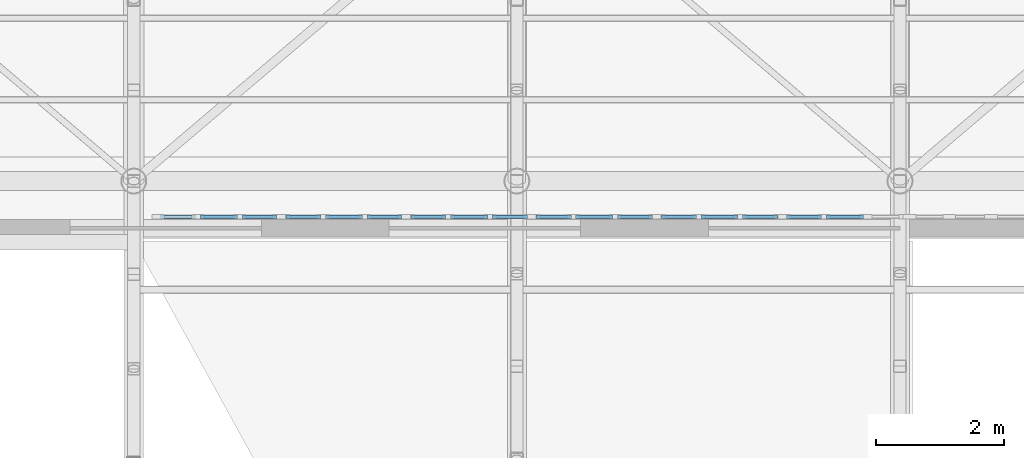
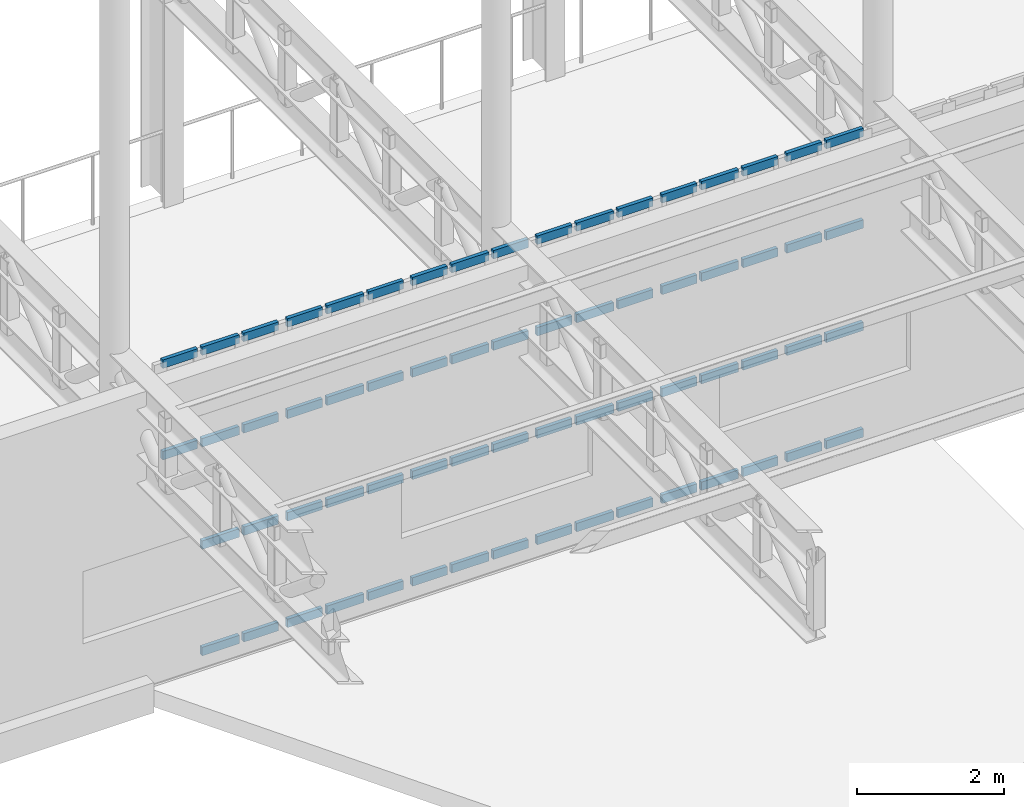
# One storey, part 44 of 75: 66 members, 6 elements without a shape of their own.
"""IFC4 building model written with IfcOpenShell, lengths in metres."""

from ifc_helpers import new_model, si_unit, direction, frame, origin, origin_2d, place, context, subcontext, project, spatial, rectangle, extrude, material, material_profile, profile_set, type_object, element, aggregate, save


model = new_model("IFC4")

# Units and contexts
model_context = context("Model", 3, precision=1e-05, world=origin(), true_north=direction((0.0, 1.0)))
body_context = subcontext(model_context, "Body", "Model", "MODEL_VIEW")
ifc_project = project(units=[si_unit("LENGTHUNIT", "METRE"), si_unit("AREAUNIT", "SQUARE_METRE"), si_unit("VOLUMEUNIT", "CUBIC_METRE"), si_unit("PLANEANGLEUNIT", "RADIAN"), si_unit("MASSUNIT", "GRAM", prefix="KILO")], contexts=[model_context])

# Site, building, storey
site_placement = place(None, origin())
site = spatial("IfcSite", under=ifc_project, at=site_placement, CompositionType="ELEMENT")
building_placement = place(site_placement, origin())
building = spatial("IfcBuilding", under=site, at=building_placement, Name="Kolvaren Corner Interchange", CompositionType="ELEMENT")
storey_placement = place(building_placement, frame((0.0, 0.0, 10.5)))
storey = spatial("IfcBuildingStorey", under=building, at=storey_placement, Name="L03", CompositionType="ELEMENT", Elevation=10.5)

# Curtain wall, members
ifc_material_1 = material(Name="Unitised Aluminium and Solar-Control Glass Curtain Wall", Category="aluminium")
curtain_wall_type = type_object("IfcCurtainWallType", Name="CW-V1-UPPER", PredefinedType="NOTDEFINED", material=ifc_material_1)
curtain_wall_1_placement = place(storey_placement, origin())
curtain_wall_1 = element("IfcCurtainWall", 1, at=curtain_wall_1_placement, inside=storey, type_object=curtain_wall_type, Name="South Portal Upper Curtain Wall Bay 01", PredefinedType="NOTDEFINED")
ifc_material_2 = material(Name="Anodised Aluminium Framing", Category="aluminium")
ifc_material_profile = material_profile(ifc_material_2, rectangle(XDim=0.06005859375, YDim=0.139892578125, at=origin_2d()), Name="ALU 60x140")
ifc_profile_set = profile_set([ifc_material_profile], Name="Anodised Aluminium Framing")
member_type = type_object("IfcMemberType", Name="TRN-ALU60x140", PredefinedType="USERDEFINED", material=ifc_profile_set)
member_1_placement = place(storey_placement, frame((72.419921875, 24.340087890625, 3.5), z_axis=(1.0, 0.0, 0.0), x_axis=(0.0, 1.0, 0.0)))
member_1 = element("IfcMember", 2, at=member_1_placement, type_object=member_type, Name="CW-037 transom 1.3", ObjectType="TRANSOM", PredefinedType="USERDEFINED", context=body_context, shape_type="SweptSolid", body=[
    extrude(rectangle(XDim=0.06005859375, YDim=0.139892578125, at=origin_2d()), origin(), (0.0, 0.0, 1.0), 0.548828125),
])
member_2_placement = place(storey_placement, frame((72.419921875, 24.340087890625, 5.02001953125), z_axis=(1.0, 0.0, 0.0), x_axis=(0.0, 1.0, 0.0)))
member_2 = element("IfcMember", 3, at=member_2_placement, type_object=member_type, Name="CW-037 transom 1.4", ObjectType="TRANSOM", PredefinedType="USERDEFINED", context=body_context, shape_type="SweptSolid", body=[
    extrude(rectangle(XDim=0.06005859375, YDim=0.139892578125, at=origin_2d()), origin(), (0.0, 0.0, 1.0), 0.548828125),
])
member_3_placement = place(storey_placement, frame((73.038818359375, 24.340087890625, 0.030029296875), z_axis=(1.0, 0.0, 0.0), x_axis=(0.0, 1.0, 0.0)))
member_3 = element("IfcMember", 4, at=member_3_placement, type_object=member_type, Name="CW-037 transom 2.1", ObjectType="TRANSOM", PredefinedType="USERDEFINED", context=body_context, shape_type="SweptSolid", body=[
    extrude(rectangle(XDim=0.06005859375, YDim=0.139892578125, at=origin_2d()), origin(), (0.0, 0.0, 1.0), 0.58349609375),
])
member_4_placement = place(storey_placement, frame((73.038818359375, 24.340087890625, 1.800048828125), z_axis=(1.0, 0.0, 0.0), x_axis=(0.0, 1.0, 0.0)))
member_4 = element("IfcMember", 5, at=member_4_placement, type_object=member_type, Name="CW-037 transom 2.2", ObjectType="TRANSOM", PredefinedType="USERDEFINED", context=body_context, shape_type="SweptSolid", body=[
    extrude(rectangle(XDim=0.06005859375, YDim=0.139892578125, at=origin_2d()), origin(), (0.0, 0.0, 1.0), 0.58349609375),
])
member_5_placement = place(storey_placement, frame((73.038818359375, 24.340087890625, 3.5), z_axis=(1.0, 0.0, 0.0), x_axis=(0.0, 1.0, 0.0)))
member_5 = element("IfcMember", 6, at=member_5_placement, type_object=member_type, Name="CW-037 transom 2.3", ObjectType="TRANSOM", PredefinedType="USERDEFINED", context=body_context, shape_type="SweptSolid", body=[
    extrude(rectangle(XDim=0.06005859375, YDim=0.139892578125, at=origin_2d()), origin(), (0.0, 0.0, 1.0), 0.58349609375),
])
member_6_placement = place(storey_placement, frame((73.038818359375, 24.340087890625, 5.02001953125), z_axis=(1.0, 0.0, 0.0), x_axis=(0.0, 1.0, 0.0)))
member_6 = element("IfcMember", 7, at=member_6_placement, type_object=member_type, Name="CW-037 transom 2.4", ObjectType="TRANSOM", PredefinedType="USERDEFINED", context=body_context, shape_type="SweptSolid", body=[
    extrude(rectangle(XDim=0.06005859375, YDim=0.139892578125, at=origin_2d()), origin(), (0.0, 0.0, 1.0), 0.58349609375),
])
member_7_placement = place(storey_placement, frame((73.6923828125, 24.340087890625, 0.030029296875), z_axis=(1.0, 0.0, 0.0), x_axis=(0.0, 1.0, 0.0)))
member_7 = element("IfcMember", 8, at=member_7_placement, type_object=member_type, Name="CW-037 transom 3.1", ObjectType="TRANSOM", PredefinedType="USERDEFINED", context=body_context, shape_type="SweptSolid", body=[
    extrude(rectangle(XDim=0.06005859375, YDim=0.139892578125, at=origin_2d()), origin(), (0.0, 0.0, 1.0), 0.548828125),
])
member_8_placement = place(storey_placement, frame((73.6923828125, 24.340087890625, 1.800048828125), z_axis=(1.0, 0.0, 0.0), x_axis=(0.0, 1.0, 0.0)))
member_8 = element("IfcMember", 9, at=member_8_placement, type_object=member_type, Name="CW-037 transom 3.2", ObjectType="TRANSOM", PredefinedType="USERDEFINED", context=body_context, shape_type="SweptSolid", body=[
    extrude(rectangle(XDim=0.06005859375, YDim=0.139892578125, at=origin_2d()), origin(), (0.0, 0.0, 1.0), 0.548828125),
])
member_9_placement = place(storey_placement, frame((73.6923828125, 24.340087890625, 3.5), z_axis=(1.0, 0.0, 0.0), x_axis=(0.0, 1.0, 0.0)))
member_9 = element("IfcMember", 10, at=member_9_placement, type_object=member_type, Name="CW-037 transom 3.3", ObjectType="TRANSOM", PredefinedType="USERDEFINED", context=body_context, shape_type="SweptSolid", body=[
    extrude(rectangle(XDim=0.06005859375, YDim=0.139892578125, at=origin_2d()), origin(), (0.0, 0.0, 1.0), 0.548828125),
])
member_10_placement = place(storey_placement, frame((73.6923828125, 24.340087890625, 5.02001953125), z_axis=(1.0, 0.0, 0.0), x_axis=(0.0, 1.0, 0.0)))
member_10 = element("IfcMember", 11, at=member_10_placement, type_object=member_type, Name="CW-037 transom 3.4", ObjectType="TRANSOM", PredefinedType="USERDEFINED", context=body_context, shape_type="SweptSolid", body=[
    extrude(rectangle(XDim=0.06005859375, YDim=0.139892578125, at=origin_2d()), origin(), (0.0, 0.0, 1.0), 0.548828125),
])
aggregate(curtain_wall_1, [member_1, member_2, member_3, member_4, member_5, member_6, member_7, member_8, member_9, member_10])

curtain_wall_2_placement = place(storey_placement, origin())
curtain_wall_2 = element("IfcCurtainWall", 12, at=curtain_wall_2_placement, inside=storey, type_object=curtain_wall_type, Name="South Portal Upper Curtain Wall Bay 02", PredefinedType="NOTDEFINED")
member_11_placement = place(storey_placement, frame((74.381103515625, 24.340087890625, 0.030029296875), z_axis=(1.0, 0.0, 0.0), x_axis=(0.0, 1.0, 0.0)))
member_11 = element("IfcMember", 13, at=member_11_placement, type_object=member_type, Name="CW-038 transom 1.1", ObjectType="TRANSOM", PredefinedType="USERDEFINED", context=body_context, shape_type="SweptSolid", body=[
    extrude(rectangle(XDim=0.06005859375, YDim=0.139892578125, at=origin_2d()), origin(), (0.0, 0.0, 1.0), 0.548583984375),
])
member_12_placement = place(storey_placement, frame((74.381103515625, 24.340087890625, 1.800048828125), z_axis=(1.0, 0.0, 0.0), x_axis=(0.0, 1.0, 0.0)))
member_12 = element("IfcMember", 14, at=member_12_placement, type_object=member_type, Name="CW-038 transom 1.2", ObjectType="TRANSOM", PredefinedType="USERDEFINED", context=body_context, shape_type="SweptSolid", body=[
    extrude(rectangle(XDim=0.06005859375, YDim=0.139892578125, at=origin_2d()), origin(), (0.0, 0.0, 1.0), 0.548583984375),
])
member_13_placement = place(storey_placement, frame((74.381103515625, 24.340087890625, 3.5), z_axis=(1.0, 0.0, 0.0), x_axis=(0.0, 1.0, 0.0)))
member_13 = element("IfcMember", 15, at=member_13_placement, type_object=member_type, Name="CW-038 transom 1.3", ObjectType="TRANSOM", PredefinedType="USERDEFINED", context=body_context, shape_type="SweptSolid", body=[
    extrude(rectangle(XDim=0.06005859375, YDim=0.139892578125, at=origin_2d()), origin(), (0.0, 0.0, 1.0), 0.548583984375),
])
member_14_placement = place(storey_placement, frame((74.381103515625, 24.340087890625, 5.02001953125), z_axis=(1.0, 0.0, 0.0), x_axis=(0.0, 1.0, 0.0)))
member_14 = element("IfcMember", 16, at=member_14_placement, type_object=member_type, Name="CW-038 transom 1.4", ObjectType="TRANSOM", PredefinedType="USERDEFINED", context=body_context, shape_type="SweptSolid", body=[
    extrude(rectangle(XDim=0.06005859375, YDim=0.139892578125, at=origin_2d()), origin(), (0.0, 0.0, 1.0), 0.548583984375),
])
member_15_placement = place(storey_placement, frame((74.999755859375, 24.340087890625, 0.030029296875), z_axis=(1.0, 0.0, 0.0), x_axis=(0.0, 1.0, 0.0)))
member_15 = element("IfcMember", 17, at=member_15_placement, type_object=member_type, Name="CW-038 transom 2.1", ObjectType="TRANSOM", PredefinedType="USERDEFINED", context=body_context, shape_type="SweptSolid", body=[
    extrude(rectangle(XDim=0.06005859375, YDim=0.139892578125, at=origin_2d()), origin(), (0.0, 0.0, 1.0), 0.583740234375),
])
member_16_placement = place(storey_placement, frame((74.999755859375, 24.340087890625, 1.800048828125), z_axis=(1.0, 0.0, 0.0), x_axis=(0.0, 1.0, 0.0)))
member_16 = element("IfcMember", 18, at=member_16_placement, type_object=member_type, Name="CW-038 transom 2.2", ObjectType="TRANSOM", PredefinedType="USERDEFINED", context=body_context, shape_type="SweptSolid", body=[
    extrude(rectangle(XDim=0.06005859375, YDim=0.139892578125, at=origin_2d()), origin(), (0.0, 0.0, 1.0), 0.583740234375),
])
member_17_placement = place(storey_placement, frame((74.999755859375, 24.340087890625, 3.5), z_axis=(1.0, 0.0, 0.0), x_axis=(0.0, 1.0, 0.0)))
member_17 = element("IfcMember", 19, at=member_17_placement, type_object=member_type, Name="CW-038 transom 2.3", ObjectType="TRANSOM", PredefinedType="USERDEFINED", context=body_context, shape_type="SweptSolid", body=[
    extrude(rectangle(XDim=0.06005859375, YDim=0.139892578125, at=origin_2d()), origin(), (0.0, 0.0, 1.0), 0.583740234375),
])
member_18_placement = place(storey_placement, frame((74.999755859375, 24.340087890625, 5.02001953125), z_axis=(1.0, 0.0, 0.0), x_axis=(0.0, 1.0, 0.0)))
member_18 = element("IfcMember", 20, at=member_18_placement, type_object=member_type, Name="CW-038 transom 2.4", ObjectType="TRANSOM", PredefinedType="USERDEFINED", context=body_context, shape_type="SweptSolid", body=[
    extrude(rectangle(XDim=0.06005859375, YDim=0.139892578125, at=origin_2d()), origin(), (0.0, 0.0, 1.0), 0.583740234375),
])
member_19_placement = place(storey_placement, frame((75.653564453125, 24.340087890625, 0.030029296875), z_axis=(1.0, 0.0, 0.0), x_axis=(0.0, 1.0, 0.0)))
member_19 = element("IfcMember", 21, at=member_19_placement, type_object=member_type, Name="CW-038 transom 3.1", ObjectType="TRANSOM", PredefinedType="USERDEFINED", context=body_context, shape_type="SweptSolid", body=[
    extrude(rectangle(XDim=0.06005859375, YDim=0.139892578125, at=origin_2d()), origin(), (0.0, 0.0, 1.0), 0.548583984375),
])
member_20_placement = place(storey_placement, frame((75.653564453125, 24.340087890625, 1.800048828125), z_axis=(1.0, 0.0, 0.0), x_axis=(0.0, 1.0, 0.0)))
member_20 = element("IfcMember", 22, at=member_20_placement, type_object=member_type, Name="CW-038 transom 3.2", ObjectType="TRANSOM", PredefinedType="USERDEFINED", context=body_context, shape_type="SweptSolid", body=[
    extrude(rectangle(XDim=0.06005859375, YDim=0.139892578125, at=origin_2d()), origin(), (0.0, 0.0, 1.0), 0.548583984375),
])
member_21_placement = place(storey_placement, frame((75.653564453125, 24.340087890625, 3.5), z_axis=(1.0, 0.0, 0.0), x_axis=(0.0, 1.0, 0.0)))
member_21 = element("IfcMember", 23, at=member_21_placement, type_object=member_type, Name="CW-038 transom 3.3", ObjectType="TRANSOM", PredefinedType="USERDEFINED", context=body_context, shape_type="SweptSolid", body=[
    extrude(rectangle(XDim=0.06005859375, YDim=0.139892578125, at=origin_2d()), origin(), (0.0, 0.0, 1.0), 0.548583984375),
])
member_22_placement = place(storey_placement, frame((75.653564453125, 24.340087890625, 5.02001953125), z_axis=(1.0, 0.0, 0.0), x_axis=(0.0, 1.0, 0.0)))
member_22 = element("IfcMember", 24, at=member_22_placement, type_object=member_type, Name="CW-038 transom 3.4", ObjectType="TRANSOM", PredefinedType="USERDEFINED", context=body_context, shape_type="SweptSolid", body=[
    extrude(rectangle(XDim=0.06005859375, YDim=0.139892578125, at=origin_2d()), origin(), (0.0, 0.0, 1.0), 0.548583984375),
])
aggregate(curtain_wall_2, [member_11, member_12, member_13, member_14, member_15, member_16, member_17, member_18, member_19, member_20, member_21, member_22])

curtain_wall_3_placement = place(storey_placement, origin())
curtain_wall_3 = element("IfcCurtainWall", 25, at=curtain_wall_3_placement, inside=storey, type_object=curtain_wall_type, Name="South Portal Upper Curtain Wall Bay 03", PredefinedType="NOTDEFINED")
member_23_placement = place(storey_placement, frame((76.34228515625, 24.340087890625, 0.030029296875), z_axis=(1.0, 0.0, 0.0), x_axis=(0.0, 1.0, 0.0)))
member_23 = element("IfcMember", 26, at=member_23_placement, type_object=member_type, Name="CW-039 transom 1.1", ObjectType="TRANSOM", PredefinedType="USERDEFINED", context=body_context, shape_type="SweptSolid", body=[
    extrude(rectangle(XDim=0.06005859375, YDim=0.139892578125, at=origin_2d()), origin(), (0.0, 0.0, 1.0), 0.548583984375),
])
member_24_placement = place(storey_placement, frame((76.34228515625, 24.340087890625, 1.800048828125), z_axis=(1.0, 0.0, 0.0), x_axis=(0.0, 1.0, 0.0)))
member_24 = element("IfcMember", 27, at=member_24_placement, type_object=member_type, Name="CW-039 transom 1.2", ObjectType="TRANSOM", PredefinedType="USERDEFINED", context=body_context, shape_type="SweptSolid", body=[
    extrude(rectangle(XDim=0.06005859375, YDim=0.139892578125, at=origin_2d()), origin(), (0.0, 0.0, 1.0), 0.548583984375),
])
member_25_placement = place(storey_placement, frame((76.34228515625, 24.340087890625, 3.5), z_axis=(1.0, 0.0, 0.0), x_axis=(0.0, 1.0, 0.0)))
member_25 = element("IfcMember", 28, at=member_25_placement, type_object=member_type, Name="CW-039 transom 1.3", ObjectType="TRANSOM", PredefinedType="USERDEFINED", context=body_context, shape_type="SweptSolid", body=[
    extrude(rectangle(XDim=0.06005859375, YDim=0.139892578125, at=origin_2d()), origin(), (0.0, 0.0, 1.0), 0.548583984375),
])
member_26_placement = place(storey_placement, frame((76.34228515625, 24.340087890625, 5.02001953125), z_axis=(1.0, 0.0, 0.0), x_axis=(0.0, 1.0, 0.0)))
member_26 = element("IfcMember", 29, at=member_26_placement, type_object=member_type, Name="CW-039 transom 1.4", ObjectType="TRANSOM", PredefinedType="USERDEFINED", context=body_context, shape_type="SweptSolid", body=[
    extrude(rectangle(XDim=0.06005859375, YDim=0.139892578125, at=origin_2d()), origin(), (0.0, 0.0, 1.0), 0.548583984375),
])
member_27_placement = place(storey_placement, frame((76.9609375, 24.340087890625, 0.030029296875), z_axis=(1.0, 0.0, 0.0), x_axis=(0.0, 1.0, 0.0)))
member_27 = element("IfcMember", 30, at=member_27_placement, type_object=member_type, Name="CW-039 transom 2.1", ObjectType="TRANSOM", PredefinedType="USERDEFINED", context=body_context, shape_type="SweptSolid", body=[
    extrude(rectangle(XDim=0.06005859375, YDim=0.139892578125, at=origin_2d()), origin(), (0.0, 0.0, 1.0), 0.583740234375),
])
member_28_placement = place(storey_placement, frame((76.9609375, 24.340087890625, 1.800048828125), z_axis=(1.0, 0.0, 0.0), x_axis=(0.0, 1.0, 0.0)))
member_28 = element("IfcMember", 31, at=member_28_placement, type_object=member_type, Name="CW-039 transom 2.2", ObjectType="TRANSOM", PredefinedType="USERDEFINED", context=body_context, shape_type="SweptSolid", body=[
    extrude(rectangle(XDim=0.06005859375, YDim=0.139892578125, at=origin_2d()), origin(), (0.0, 0.0, 1.0), 0.583740234375),
])
member_29_placement = place(storey_placement, frame((76.9609375, 24.340087890625, 3.5), z_axis=(1.0, 0.0, 0.0), x_axis=(0.0, 1.0, 0.0)))
member_29 = element("IfcMember", 32, at=member_29_placement, type_object=member_type, Name="CW-039 transom 2.3", ObjectType="TRANSOM", PredefinedType="USERDEFINED", context=body_context, shape_type="SweptSolid", body=[
    extrude(rectangle(XDim=0.06005859375, YDim=0.139892578125, at=origin_2d()), origin(), (0.0, 0.0, 1.0), 0.583740234375),
])
member_30_placement = place(storey_placement, frame((76.9609375, 24.340087890625, 5.02001953125), z_axis=(1.0, 0.0, 0.0), x_axis=(0.0, 1.0, 0.0)))
member_30 = element("IfcMember", 33, at=member_30_placement, type_object=member_type, Name="CW-039 transom 2.4", ObjectType="TRANSOM", PredefinedType="USERDEFINED", context=body_context, shape_type="SweptSolid", body=[
    extrude(rectangle(XDim=0.06005859375, YDim=0.139892578125, at=origin_2d()), origin(), (0.0, 0.0, 1.0), 0.583740234375),
])
member_31_placement = place(storey_placement, frame((77.614501953125, 24.340087890625, 0.030029296875), z_axis=(1.0, 0.0, 0.0), x_axis=(0.0, 1.0, 0.0)))
member_31 = element("IfcMember", 34, at=member_31_placement, type_object=member_type, Name="CW-039 transom 3.1", ObjectType="TRANSOM", PredefinedType="USERDEFINED", context=body_context, shape_type="SweptSolid", body=[
    extrude(rectangle(XDim=0.06005859375, YDim=0.139892578125, at=origin_2d()), origin(), (0.0, 0.0, 1.0), 0.548828125),
])
member_32_placement = place(storey_placement, frame((77.614501953125, 24.340087890625, 1.800048828125), z_axis=(1.0, 0.0, 0.0), x_axis=(0.0, 1.0, 0.0)))
member_32 = element("IfcMember", 35, at=member_32_placement, type_object=member_type, Name="CW-039 transom 3.2", ObjectType="TRANSOM", PredefinedType="USERDEFINED", context=body_context, shape_type="SweptSolid", body=[
    extrude(rectangle(XDim=0.06005859375, YDim=0.139892578125, at=origin_2d()), origin(), (0.0, 0.0, 1.0), 0.548828125),
])
member_33_placement = place(storey_placement, frame((77.614501953125, 24.340087890625, 3.5), z_axis=(1.0, 0.0, 0.0), x_axis=(0.0, 1.0, 0.0)))
member_33 = element("IfcMember", 36, at=member_33_placement, type_object=member_type, Name="CW-039 transom 3.3", ObjectType="TRANSOM", PredefinedType="USERDEFINED", context=body_context, shape_type="SweptSolid", body=[
    extrude(rectangle(XDim=0.06005859375, YDim=0.139892578125, at=origin_2d()), origin(), (0.0, 0.0, 1.0), 0.548828125),
])
member_34_placement = place(storey_placement, frame((77.614501953125, 24.340087890625, 5.02001953125), z_axis=(1.0, 0.0, 0.0), x_axis=(0.0, 1.0, 0.0)))
member_34 = element("IfcMember", 37, at=member_34_placement, type_object=member_type, Name="CW-039 transom 3.4", ObjectType="TRANSOM", PredefinedType="USERDEFINED", context=body_context, shape_type="SweptSolid", body=[
    extrude(rectangle(XDim=0.06005859375, YDim=0.139892578125, at=origin_2d()), origin(), (0.0, 0.0, 1.0), 0.548828125),
])
aggregate(curtain_wall_3, [member_23, member_24, member_25, member_26, member_27, member_28, member_29, member_30, member_31, member_32, member_33, member_34])

curtain_wall_4_placement = place(storey_placement, origin())
curtain_wall_4 = element("IfcCurtainWall", 38, at=curtain_wall_4_placement, inside=storey, type_object=curtain_wall_type, Name="South Portal Upper Curtain Wall Bay 04", PredefinedType="NOTDEFINED")
member_35_placement = place(storey_placement, frame((78.30322265625, 24.340087890625, 0.030029296875), z_axis=(1.0, 0.0, 0.0), x_axis=(0.0, 1.0, 0.0)))
member_35 = element("IfcMember", 39, at=member_35_placement, type_object=member_type, Name="CW-040 transom 1.1", ObjectType="TRANSOM", PredefinedType="USERDEFINED", context=body_context, shape_type="SweptSolid", body=[
    extrude(rectangle(XDim=0.06005859375, YDim=0.139892578125, at=origin_2d()), origin(), (0.0, 0.0, 1.0), 0.548828125),
])
member_36_placement = place(storey_placement, frame((78.30322265625, 24.340087890625, 1.800048828125), z_axis=(1.0, 0.0, 0.0), x_axis=(0.0, 1.0, 0.0)))
member_36 = element("IfcMember", 40, at=member_36_placement, type_object=member_type, Name="CW-040 transom 1.2", ObjectType="TRANSOM", PredefinedType="USERDEFINED", context=body_context, shape_type="SweptSolid", body=[
    extrude(rectangle(XDim=0.06005859375, YDim=0.139892578125, at=origin_2d()), origin(), (0.0, 0.0, 1.0), 0.548828125),
])
member_37_placement = place(storey_placement, frame((78.30322265625, 24.340087890625, 3.5), z_axis=(1.0, 0.0, 0.0), x_axis=(0.0, 1.0, 0.0)))
member_37 = element("IfcMember", 41, at=member_37_placement, type_object=member_type, Name="CW-040 transom 1.3", ObjectType="TRANSOM", PredefinedType="USERDEFINED", context=body_context, shape_type="SweptSolid", body=[
    extrude(rectangle(XDim=0.06005859375, YDim=0.139892578125, at=origin_2d()), origin(), (0.0, 0.0, 1.0), 0.548828125),
])
member_38_placement = place(storey_placement, frame((78.30322265625, 24.340087890625, 5.02001953125), z_axis=(1.0, 0.0, 0.0), x_axis=(0.0, 1.0, 0.0)))
member_38 = element("IfcMember", 42, at=member_38_placement, type_object=member_type, Name="CW-040 transom 1.4", ObjectType="TRANSOM", PredefinedType="USERDEFINED", context=body_context, shape_type="SweptSolid", body=[
    extrude(rectangle(XDim=0.06005859375, YDim=0.139892578125, at=origin_2d()), origin(), (0.0, 0.0, 1.0), 0.548828125),
])
member_39_placement = place(storey_placement, frame((78.922119140625, 24.340087890625, 0.030029296875), z_axis=(1.0, 0.0, 0.0), x_axis=(0.0, 1.0, 0.0)))
member_39 = element("IfcMember", 43, at=member_39_placement, type_object=member_type, Name="CW-040 transom 2.1", ObjectType="TRANSOM", PredefinedType="USERDEFINED", context=body_context, shape_type="SweptSolid", body=[
    extrude(rectangle(XDim=0.06005859375, YDim=0.139892578125, at=origin_2d()), origin(), (0.0, 0.0, 1.0), 0.58349609375),
])
member_40_placement = place(storey_placement, frame((78.922119140625, 24.340087890625, 1.800048828125), z_axis=(1.0, 0.0, 0.0), x_axis=(0.0, 1.0, 0.0)))
member_40 = element("IfcMember", 44, at=member_40_placement, type_object=member_type, Name="CW-040 transom 2.2", ObjectType="TRANSOM", PredefinedType="USERDEFINED", context=body_context, shape_type="SweptSolid", body=[
    extrude(rectangle(XDim=0.06005859375, YDim=0.139892578125, at=origin_2d()), origin(), (0.0, 0.0, 1.0), 0.58349609375),
])
member_41_placement = place(storey_placement, frame((78.922119140625, 24.340087890625, 3.5), z_axis=(1.0, 0.0, 0.0), x_axis=(0.0, 1.0, 0.0)))
member_41 = element("IfcMember", 45, at=member_41_placement, type_object=member_type, Name="CW-040 transom 2.3", ObjectType="TRANSOM", PredefinedType="USERDEFINED", context=body_context, shape_type="SweptSolid", body=[
    extrude(rectangle(XDim=0.06005859375, YDim=0.139892578125, at=origin_2d()), origin(), (0.0, 0.0, 1.0), 0.58349609375),
])
member_42_placement = place(storey_placement, frame((78.922119140625, 24.340087890625, 5.02001953125), z_axis=(1.0, 0.0, 0.0), x_axis=(0.0, 1.0, 0.0)))
member_42 = element("IfcMember", 46, at=member_42_placement, type_object=member_type, Name="CW-040 transom 2.4", ObjectType="TRANSOM", PredefinedType="USERDEFINED", context=body_context, shape_type="SweptSolid", body=[
    extrude(rectangle(XDim=0.06005859375, YDim=0.139892578125, at=origin_2d()), origin(), (0.0, 0.0, 1.0), 0.58349609375),
])
member_43_placement = place(storey_placement, frame((79.57568359375, 24.340087890625, 0.030029296875), z_axis=(1.0, 0.0, 0.0), x_axis=(0.0, 1.0, 0.0)))
member_43 = element("IfcMember", 47, at=member_43_placement, type_object=member_type, Name="CW-040 transom 3.1", ObjectType="TRANSOM", PredefinedType="USERDEFINED", context=body_context, shape_type="SweptSolid", body=[
    extrude(rectangle(XDim=0.06005859375, YDim=0.139892578125, at=origin_2d()), origin(), (0.0, 0.0, 1.0), 0.548828125),
])
member_44_placement = place(storey_placement, frame((79.57568359375, 24.340087890625, 1.800048828125), z_axis=(1.0, 0.0, 0.0), x_axis=(0.0, 1.0, 0.0)))
member_44 = element("IfcMember", 48, at=member_44_placement, type_object=member_type, Name="CW-040 transom 3.2", ObjectType="TRANSOM", PredefinedType="USERDEFINED", context=body_context, shape_type="SweptSolid", body=[
    extrude(rectangle(XDim=0.06005859375, YDim=0.139892578125, at=origin_2d()), origin(), (0.0, 0.0, 1.0), 0.548828125),
])
member_45_placement = place(storey_placement, frame((79.57568359375, 24.340087890625, 3.5), z_axis=(1.0, 0.0, 0.0), x_axis=(0.0, 1.0, 0.0)))
member_45 = element("IfcMember", 49, at=member_45_placement, type_object=member_type, Name="CW-040 transom 3.3", ObjectType="TRANSOM", PredefinedType="USERDEFINED", context=body_context, shape_type="SweptSolid", body=[
    extrude(rectangle(XDim=0.06005859375, YDim=0.139892578125, at=origin_2d()), origin(), (0.0, 0.0, 1.0), 0.548828125),
])
member_46_placement = place(storey_placement, frame((79.57568359375, 24.340087890625, 5.02001953125), z_axis=(1.0, 0.0, 0.0), x_axis=(0.0, 1.0, 0.0)))
member_46 = element("IfcMember", 50, at=member_46_placement, type_object=member_type, Name="CW-040 transom 3.4", ObjectType="TRANSOM", PredefinedType="USERDEFINED", context=body_context, shape_type="SweptSolid", body=[
    extrude(rectangle(XDim=0.06005859375, YDim=0.139892578125, at=origin_2d()), origin(), (0.0, 0.0, 1.0), 0.548828125),
])
aggregate(curtain_wall_4, [member_35, member_36, member_37, member_38, member_39, member_40, member_41, member_42, member_43, member_44, member_45, member_46])

curtain_wall_5_placement = place(storey_placement, origin())
curtain_wall_5 = element("IfcCurtainWall", 51, at=curtain_wall_5_placement, inside=storey, type_object=curtain_wall_type, Name="South Portal Upper Curtain Wall Bay 05", PredefinedType="NOTDEFINED")
member_47_placement = place(storey_placement, frame((80.264404296875, 24.340087890625, 0.030029296875), z_axis=(1.0, 0.0, 0.0), x_axis=(0.0, 1.0, 0.0)))
member_47 = element("IfcMember", 52, at=member_47_placement, type_object=member_type, Name="CW-041 transom 1.1", ObjectType="TRANSOM", PredefinedType="USERDEFINED", context=body_context, shape_type="SweptSolid", body=[
    extrude(rectangle(XDim=0.06005859375, YDim=0.139892578125, at=origin_2d()), origin(), (0.0, 0.0, 1.0), 0.548828125),
])
member_48_placement = place(storey_placement, frame((80.264404296875, 24.340087890625, 1.800048828125), z_axis=(1.0, 0.0, 0.0), x_axis=(0.0, 1.0, 0.0)))
member_48 = element("IfcMember", 53, at=member_48_placement, type_object=member_type, Name="CW-041 transom 1.2", ObjectType="TRANSOM", PredefinedType="USERDEFINED", context=body_context, shape_type="SweptSolid", body=[
    extrude(rectangle(XDim=0.06005859375, YDim=0.139892578125, at=origin_2d()), origin(), (0.0, 0.0, 1.0), 0.548828125),
])
member_49_placement = place(storey_placement, frame((80.264404296875, 24.340087890625, 3.5), z_axis=(1.0, 0.0, 0.0), x_axis=(0.0, 1.0, 0.0)))
member_49 = element("IfcMember", 54, at=member_49_placement, type_object=member_type, Name="CW-041 transom 1.3", ObjectType="TRANSOM", PredefinedType="USERDEFINED", context=body_context, shape_type="SweptSolid", body=[
    extrude(rectangle(XDim=0.06005859375, YDim=0.139892578125, at=origin_2d()), origin(), (0.0, 0.0, 1.0), 0.548828125),
])
member_50_placement = place(storey_placement, frame((80.264404296875, 24.340087890625, 5.02001953125), z_axis=(1.0, 0.0, 0.0), x_axis=(0.0, 1.0, 0.0)))
member_50 = element("IfcMember", 55, at=member_50_placement, type_object=member_type, Name="CW-041 transom 1.4", ObjectType="TRANSOM", PredefinedType="USERDEFINED", context=body_context, shape_type="SweptSolid", body=[
    extrude(rectangle(XDim=0.06005859375, YDim=0.139892578125, at=origin_2d()), origin(), (0.0, 0.0, 1.0), 0.548828125),
])
member_51_placement = place(storey_placement, frame((80.883056640625, 24.340087890625, 0.030029296875), z_axis=(1.0, 0.0, 0.0), x_axis=(0.0, 1.0, 0.0)))
member_51 = element("IfcMember", 56, at=member_51_placement, type_object=member_type, Name="CW-041 transom 2.1", ObjectType="TRANSOM", PredefinedType="USERDEFINED", context=body_context, shape_type="SweptSolid", body=[
    extrude(rectangle(XDim=0.06005859375, YDim=0.139892578125, at=origin_2d()), origin(), (0.0, 0.0, 1.0), 0.583740234375),
])
member_52_placement = place(storey_placement, frame((80.883056640625, 24.340087890625, 1.800048828125), z_axis=(1.0, 0.0, 0.0), x_axis=(0.0, 1.0, 0.0)))
member_52 = element("IfcMember", 57, at=member_52_placement, type_object=member_type, Name="CW-041 transom 2.2", ObjectType="TRANSOM", PredefinedType="USERDEFINED", context=body_context, shape_type="SweptSolid", body=[
    extrude(rectangle(XDim=0.06005859375, YDim=0.139892578125, at=origin_2d()), origin(), (0.0, 0.0, 1.0), 0.583740234375),
])
member_53_placement = place(storey_placement, frame((80.883056640625, 24.340087890625, 3.5), z_axis=(1.0, 0.0, 0.0), x_axis=(0.0, 1.0, 0.0)))
member_53 = element("IfcMember", 58, at=member_53_placement, type_object=member_type, Name="CW-041 transom 2.3", ObjectType="TRANSOM", PredefinedType="USERDEFINED", context=body_context, shape_type="SweptSolid", body=[
    extrude(rectangle(XDim=0.06005859375, YDim=0.139892578125, at=origin_2d()), origin(), (0.0, 0.0, 1.0), 0.583740234375),
])
member_54_placement = place(storey_placement, frame((80.883056640625, 24.340087890625, 5.02001953125), z_axis=(1.0, 0.0, 0.0), x_axis=(0.0, 1.0, 0.0)))
member_54 = element("IfcMember", 59, at=member_54_placement, type_object=member_type, Name="CW-041 transom 2.4", ObjectType="TRANSOM", PredefinedType="USERDEFINED", context=body_context, shape_type="SweptSolid", body=[
    extrude(rectangle(XDim=0.06005859375, YDim=0.139892578125, at=origin_2d()), origin(), (0.0, 0.0, 1.0), 0.583740234375),
])
member_55_placement = place(storey_placement, frame((81.536865234375, 24.340087890625, 0.030029296875), z_axis=(1.0, 0.0, 0.0), x_axis=(0.0, 1.0, 0.0)))
member_55 = element("IfcMember", 60, at=member_55_placement, type_object=member_type, Name="CW-041 transom 3.1", ObjectType="TRANSOM", PredefinedType="USERDEFINED", context=body_context, shape_type="SweptSolid", body=[
    extrude(rectangle(XDim=0.06005859375, YDim=0.139892578125, at=origin_2d()), origin(), (0.0, 0.0, 1.0), 0.548828125),
])
member_56_placement = place(storey_placement, frame((81.536865234375, 24.340087890625, 1.800048828125), z_axis=(1.0, 0.0, 0.0), x_axis=(0.0, 1.0, 0.0)))
member_56 = element("IfcMember", 61, at=member_56_placement, type_object=member_type, Name="CW-041 transom 3.2", ObjectType="TRANSOM", PredefinedType="USERDEFINED", context=body_context, shape_type="SweptSolid", body=[
    extrude(rectangle(XDim=0.06005859375, YDim=0.139892578125, at=origin_2d()), origin(), (0.0, 0.0, 1.0), 0.548828125),
])
member_57_placement = place(storey_placement, frame((81.536865234375, 24.340087890625, 3.5), z_axis=(1.0, 0.0, 0.0), x_axis=(0.0, 1.0, 0.0)))
member_57 = element("IfcMember", 62, at=member_57_placement, type_object=member_type, Name="CW-041 transom 3.3", ObjectType="TRANSOM", PredefinedType="USERDEFINED", context=body_context, shape_type="SweptSolid", body=[
    extrude(rectangle(XDim=0.06005859375, YDim=0.139892578125, at=origin_2d()), origin(), (0.0, 0.0, 1.0), 0.548828125),
])
member_58_placement = place(storey_placement, frame((81.536865234375, 24.340087890625, 5.02001953125), z_axis=(1.0, 0.0, 0.0), x_axis=(0.0, 1.0, 0.0)))
member_58 = element("IfcMember", 63, at=member_58_placement, type_object=member_type, Name="CW-041 transom 3.4", ObjectType="TRANSOM", PredefinedType="USERDEFINED", context=body_context, shape_type="SweptSolid", body=[
    extrude(rectangle(XDim=0.06005859375, YDim=0.139892578125, at=origin_2d()), origin(), (0.0, 0.0, 1.0), 0.548828125),
])
aggregate(curtain_wall_5, [member_47, member_48, member_49, member_50, member_51, member_52, member_53, member_54, member_55, member_56, member_57, member_58])

curtain_wall_6_placement = place(storey_placement, origin())
curtain_wall_6 = element("IfcCurtainWall", 64, at=curtain_wall_6_placement, inside=storey, type_object=curtain_wall_type, Name="South Portal Upper Curtain Wall Bay 06", PredefinedType="NOTDEFINED")
member_59_placement = place(storey_placement, frame((82.2255859375, 24.340087890625, 0.030029296875), z_axis=(1.0, 0.0, 0.0), x_axis=(0.0, 1.0, 0.0)))
member_59 = element("IfcMember", 65, at=member_59_placement, type_object=member_type, Name="CW-042 transom 1.1", ObjectType="TRANSOM", PredefinedType="USERDEFINED", context=body_context, shape_type="SweptSolid", body=[
    extrude(rectangle(XDim=0.06005859375, YDim=0.139892578125, at=origin_2d()), origin(), (0.0, 0.0, 1.0), 0.548828125),
])
member_60_placement = place(storey_placement, frame((82.2255859375, 24.340087890625, 1.800048828125), z_axis=(1.0, 0.0, 0.0), x_axis=(0.0, 1.0, 0.0)))
member_60 = element("IfcMember", 66, at=member_60_placement, type_object=member_type, Name="CW-042 transom 1.2", ObjectType="TRANSOM", PredefinedType="USERDEFINED", context=body_context, shape_type="SweptSolid", body=[
    extrude(rectangle(XDim=0.06005859375, YDim=0.139892578125, at=origin_2d()), origin(), (0.0, 0.0, 1.0), 0.548828125),
])
member_61_placement = place(storey_placement, frame((82.2255859375, 24.340087890625, 3.5), z_axis=(1.0, 0.0, 0.0), x_axis=(0.0, 1.0, 0.0)))
member_61 = element("IfcMember", 67, at=member_61_placement, type_object=member_type, Name="CW-042 transom 1.3", ObjectType="TRANSOM", PredefinedType="USERDEFINED", context=body_context, shape_type="SweptSolid", body=[
    extrude(rectangle(XDim=0.06005859375, YDim=0.139892578125, at=origin_2d()), origin(), (0.0, 0.0, 1.0), 0.548828125),
])
member_62_placement = place(storey_placement, frame((82.2255859375, 24.340087890625, 5.02001953125), z_axis=(1.0, 0.0, 0.0), x_axis=(0.0, 1.0, 0.0)))
member_62 = element("IfcMember", 68, at=member_62_placement, type_object=member_type, Name="CW-042 transom 1.4", ObjectType="TRANSOM", PredefinedType="USERDEFINED", context=body_context, shape_type="SweptSolid", body=[
    extrude(rectangle(XDim=0.06005859375, YDim=0.139892578125, at=origin_2d()), origin(), (0.0, 0.0, 1.0), 0.548828125),
])
member_63_placement = place(storey_placement, frame((82.84423828125, 24.340087890625, 0.030029296875), z_axis=(1.0, 0.0, 0.0), x_axis=(0.0, 1.0, 0.0)))
member_63 = element("IfcMember", 69, at=member_63_placement, type_object=member_type, Name="CW-042 transom 2.1", ObjectType="TRANSOM", PredefinedType="USERDEFINED", context=body_context, shape_type="SweptSolid", body=[
    extrude(rectangle(XDim=0.06005859375, YDim=0.139892578125, at=origin_2d()), origin(), (0.0, 0.0, 1.0), 0.583740234375),
])
member_64_placement = place(storey_placement, frame((82.84423828125, 24.340087890625, 1.800048828125), z_axis=(1.0, 0.0, 0.0), x_axis=(0.0, 1.0, 0.0)))
member_64 = element("IfcMember", 70, at=member_64_placement, type_object=member_type, Name="CW-042 transom 2.2", ObjectType="TRANSOM", PredefinedType="USERDEFINED", context=body_context, shape_type="SweptSolid", body=[
    extrude(rectangle(XDim=0.06005859375, YDim=0.139892578125, at=origin_2d()), origin(), (0.0, 0.0, 1.0), 0.583740234375),
])
member_65_placement = place(storey_placement, frame((82.84423828125, 24.340087890625, 3.5), z_axis=(1.0, 0.0, 0.0), x_axis=(0.0, 1.0, 0.0)))
member_65 = element("IfcMember", 71, at=member_65_placement, type_object=member_type, Name="CW-042 transom 2.3", ObjectType="TRANSOM", PredefinedType="USERDEFINED", context=body_context, shape_type="SweptSolid", body=[
    extrude(rectangle(XDim=0.06005859375, YDim=0.139892578125, at=origin_2d()), origin(), (0.0, 0.0, 1.0), 0.583740234375),
])
member_66_placement = place(storey_placement, frame((82.84423828125, 24.340087890625, 5.02001953125), z_axis=(1.0, 0.0, 0.0), x_axis=(0.0, 1.0, 0.0)))
member_66 = element("IfcMember", 72, at=member_66_placement, type_object=member_type, Name="CW-042 transom 2.4", ObjectType="TRANSOM", PredefinedType="USERDEFINED", context=body_context, shape_type="SweptSolid", body=[
    extrude(rectangle(XDim=0.06005859375, YDim=0.139892578125, at=origin_2d()), origin(), (0.0, 0.0, 1.0), 0.583740234375),
])
aggregate(curtain_wall_6, [member_59, member_60, member_61, member_62, member_63, member_64, member_65, member_66])

save(model, "model.ifc")
